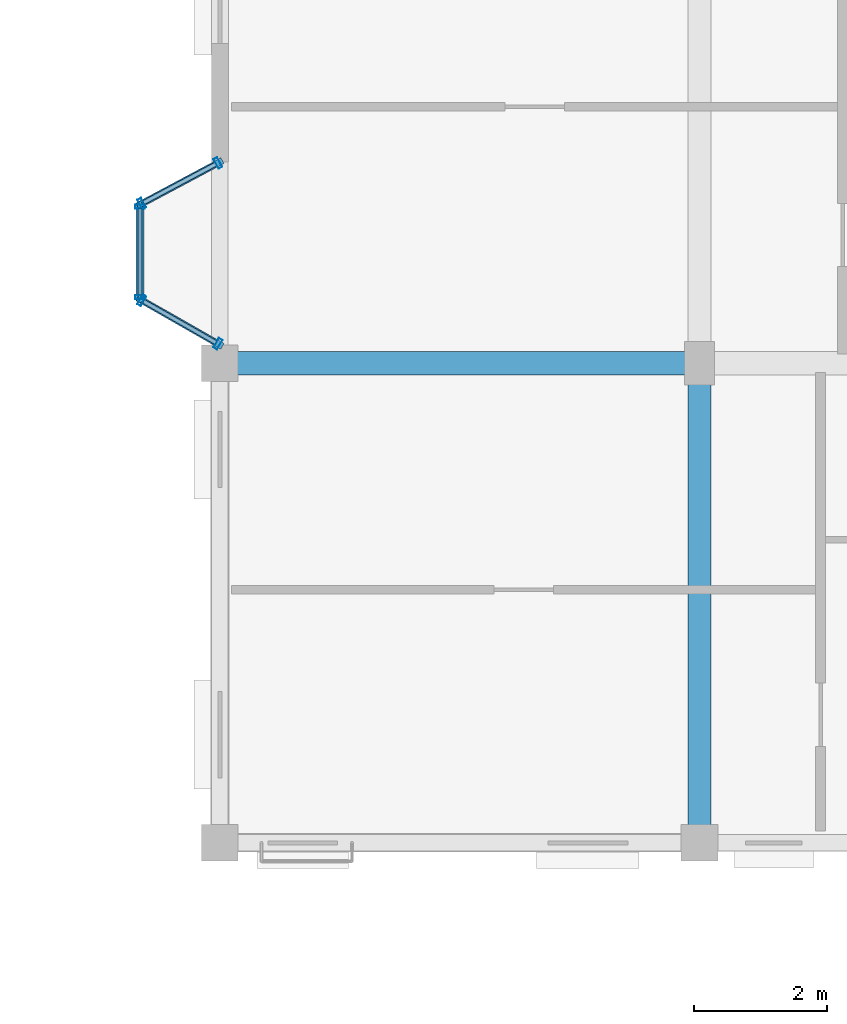
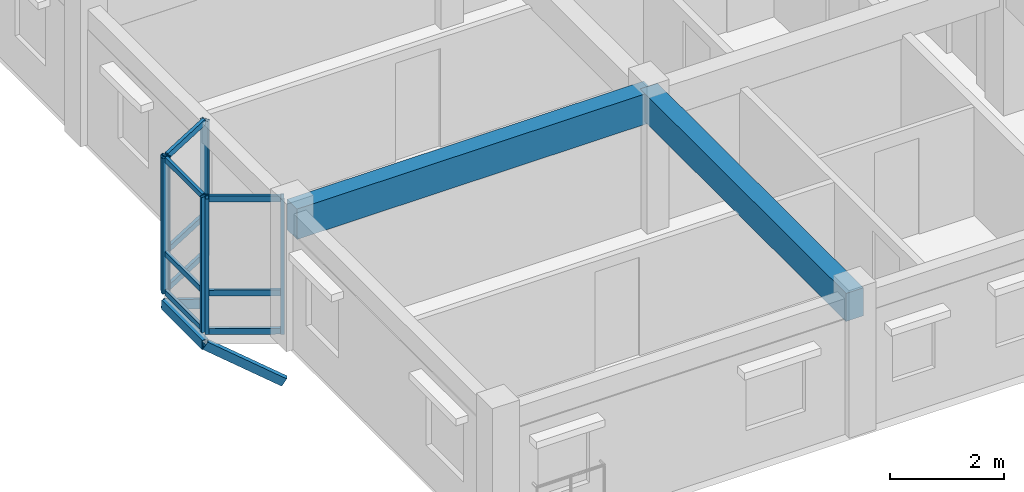
# One storey, part 21 of 79: 18 members, 2 beams, 3 elements without a shape of their own.
"""IFC4 building model written with IfcOpenShell, lengths in metres."""

import ifcopenshell
import ifcopenshell.guid

model = None  # the IFC model being written
_history = None  # IfcOwnerHistory: only IFC2X3 demands one
_inside = {}  # id of a spatial element -> (the spatial element, [elements in it])
_under = {}  # id of a project, library or spatial element -> (it, [spatial elements below it])
_declared = {}  # id of a project -> (the project, [libraries it declares])
_typed = {}  # id of a type object -> (the type object, [elements of that type])
_made_of = {}  # id of a material, layer set ... -> (it, [elements and type objects made of it])


def new_model(schema):
    """Start an empty IFC model of exactly this schema.

    Asked for "IFC4X3", IfcOpenShell would pick the latest addendum, in which some entities
    have other attributes; the version numbers below select the first issue.
    IFC2X3 requires an IfcOwnerHistory on every rooted entity: one is made here for all.
    """
    global model, _history
    if schema == "IFC4X3":
        model = ifcopenshell.file(schema_version=(4, 3, 0, 0))
    else:
        model = ifcopenshell.file(schema=schema)
    _inside.clear()
    _under.clear()
    _declared.clear()
    _typed.clear()
    _made_of.clear()
    _history = None
    if model.schema == "IFC2X3":
        org = make("IfcOrganization", Name="unknown")
        user = make(
            "IfcPersonAndOrganization",
            ThePerson=make("IfcPerson", FamilyName="unknown"),
            TheOrganization=org,
        )
        app = make(
            "IfcApplication",
            ApplicationDeveloper=org,
            Version="unknown",
            ApplicationFullName="unknown",
            ApplicationIdentifier="unknown",
        )
        _history = make(
            "IfcOwnerHistory",
            OwningUser=user,
            OwningApplication=app,
            ChangeAction="ADDED",
            CreationDate=0,
        )
    return model


def make(cls, **values):
    """One entity of the class cls with the attributes given. An attribute that is None is left unset."""
    return model.create_entity(
        cls, **{name: value for name, value in values.items() if value is not None}
    )


def rooted(cls, **values):
    """An entity with a GlobalId (a new one), such as an element, a storey or a relation."""
    return make(cls, GlobalId=ifcopenshell.guid.new(), OwnerHistory=_history, **values)


def si_unit(unit_type, name, prefix=None):
    """IfcSIUnit, for example si_unit("LENGTHUNIT", "METRE", prefix="MILLI")."""
    return make("IfcSIUnit", UnitType=unit_type, Prefix=prefix, Name=name)


def assignment(units):
    """IfcUnitAssignment: the units of a project."""
    return None if units is None else make("IfcUnitAssignment", Units=units)


def point(xyz):
    """IfcCartesianPoint."""
    return None if xyz is None else make("IfcCartesianPoint", Coordinates=xyz)


def direction(xyz):
    """IfcDirection."""
    return None if xyz is None else make("IfcDirection", DirectionRatios=xyz)


def frame(location, z_axis=None, x_axis=None):
    """IfcAxis2Placement3D, a coordinate frame: its origin and axes. An axis left out is left unset."""
    return make(
        "IfcAxis2Placement3D",
        Location=point(location),
        Axis=direction(z_axis),
        RefDirection=direction(x_axis),
    )


def frame_2d(location, x_axis=None):
    """IfcAxis2Placement2D, a coordinate frame in the plane: its origin and x axis."""
    return make(
        "IfcAxis2Placement2D", Location=point(location), RefDirection=direction(x_axis)
    )


def origin():
    """The frame at (0, 0, 0) with its axes left unset."""
    return frame((0.0, 0.0, 0.0))


def origin_2d():
    """The frame at (0, 0) in the plane with its x axis left unset."""
    return frame_2d((0.0, 0.0))


def place(relative_to, where):
    """IfcLocalPlacement: puts the frame where relative to a parent placement (None: the world)."""
    return make(
        "IfcLocalPlacement", PlacementRelTo=relative_to, RelativePlacement=where
    )


def context(
    kind, dimensions, precision=None, world=None, true_north=None, identifier=None
):
    """IfcGeometricRepresentationContext, for example the 3D "Model" context."""
    return make(
        "IfcGeometricRepresentationContext",
        ContextIdentifier=identifier,
        ContextType=kind,
        CoordinateSpaceDimension=dimensions,
        Precision=precision,
        WorldCoordinateSystem=world,
        TrueNorth=true_north,
    )


def subcontext(parent, identifier, kind, view, scale=None):
    """IfcGeometricRepresentationSubContext, for example "Body" below "Model"."""
    return make(
        "IfcGeometricRepresentationSubContext",
        ContextIdentifier=identifier,
        ContextType=kind,
        ParentContext=parent,
        TargetScale=scale,
        TargetView=view,
    )


def project(units=None, contexts=None):
    """IfcProject with its units and contexts."""
    return rooted(
        "IfcProject",
        Name="project",
        RepresentationContexts=contexts,
        UnitsInContext=assignment(units),
    )


def spatial(cls, under=None, at=None, **own):
    """A site, building, storey or space (cls), placed at a placement, below another one or the project."""
    s = rooted(cls, ObjectPlacement=at, **own)
    if under is not None:
        _under.setdefault(under.id(), (under, []))[1].append(s)
    return s


def profile(cls, at=None, kind="AREA", **sizes):
    """A parametric profile (cls). Its sizes go by their IFC names, for example OverallWidth=200.0."""
    return make(cls, ProfileType=kind, Position=at, **sizes)


def rectangle(**sizes):
    """IfcRectangleProfileDef."""
    return profile("IfcRectangleProfileDef", **sizes)


def hollow_rectangle(**sizes):
    """IfcRectangleHollowProfileDef."""
    return profile("IfcRectangleHollowProfileDef", **sizes)


def extrude(swept, where, along, depth):
    """IfcExtrudedAreaSolid: the profile swept, set in the frame where, extruded along a direction by depth."""
    return make(
        "IfcExtrudedAreaSolid",
        SweptArea=swept,
        Position=where,
        ExtrudedDirection=direction(along),
        Depth=depth,
    )


def shape(context_of_items, identifier, shape_type, items):
    """IfcShapeRepresentation: the items that make up one representation, for example the "Body"."""
    return make(
        "IfcShapeRepresentation",
        ContextOfItems=context_of_items,
        RepresentationIdentifier=identifier,
        RepresentationType=shape_type,
        Items=items,
    )


def material(Name=None, Category=None):
    """IfcMaterial."""
    return make("IfcMaterial", Name=Name, Category=Category)


def layer(
    of_material, thickness, ventilated=None, Name=None, Category=None, Priority=None
):
    """IfcMaterialLayer: one layer of a wall or slab, of a material (None: an air gap)."""
    return make(
        "IfcMaterialLayer",
        Material=of_material,
        LayerThickness=thickness,
        IsVentilated=ventilated,
        Name=Name,
        Category=Category,
        Priority=Priority,
    )


def layer_set(layers, Name=None):
    """IfcMaterialLayerSet."""
    return make("IfcMaterialLayerSet", MaterialLayers=layers, LayerSetName=Name)


def material_profile(
    of_material, cross_section, Name=None, Category=None, Priority=None
):
    """IfcMaterialProfile: a cross section and its material."""
    return make(
        "IfcMaterialProfile",
        Name=Name,
        Material=of_material,
        Profile=cross_section,
        Priority=Priority,
        Category=Category,
    )


def profile_set(profiles, Name=None, composite=None):
    """IfcMaterialProfileSet."""
    return make(
        "IfcMaterialProfileSet",
        Name=Name,
        MaterialProfiles=profiles,
        CompositeProfile=composite,
    )


def made_of(thing, what):
    """Note that an element or type object is made of a material, layer set ...; save() writes the relation."""
    if what is not None:
        _made_of.setdefault(what.id(), (what, []))[1].append(thing)
    return thing


def type_object(cls, material=None, **own):
    """A type object (cls), such as IfcWallType, which elements share."""
    return made_of(rooted(cls, **own), material)


def element(
    cls,
    number,
    at=None,
    inside=None,
    cuts=None,
    type_object=None,
    material=None,
    context=None,
    identifier="Body",
    shape_type=None,
    held_by="IfcProductDefinitionShape",
    body=None,
    shapes=None,
    **own,
):
    """One element of the class cls, such as IfcWall. Its Tag is "e" and its number.

    at: its placement. inside: the storey or other place that contains it. cuts: it is an
    opening in that element (IfcRelVoidsElement). A single representation is given by context,
    identifier, shape_type and body (its items); several are given by shapes. held_by: the class
    of the entity that holds the representations. save() writes the other relations.
    """
    e = rooted(cls, Tag="e%d" % number, ObjectPlacement=at, **own)
    if body is not None:
        shapes = [shape(context, identifier, shape_type, body)]
    if shapes is not None:
        e.Representation = make(held_by, Representations=shapes)
    if inside is not None:
        _inside.setdefault(inside.id(), (inside, []))[1].append(e)
    if cuts is not None:
        rooted(
            "IfcRelVoidsElement", RelatingBuildingElement=cuts, RelatedOpeningElement=e
        )
    if type_object is not None:
        _typed.setdefault(type_object.id(), (type_object, []))[1].append(e)
    return made_of(e, material)


def aggregate(whole, parts):
    """IfcRelAggregates: a whole, such as a stair, and the parts it consists of."""
    return rooted("IfcRelAggregates", RelatingObject=whole, RelatedObjects=parts)


def save(model, path):
    """Write the relations noted so far, then the file.

    IfcRelAggregates (storeys below a building ...), IfcRelContainedInSpatialStructure (elements
    in a storey), IfcRelDefinesByType, IfcRelAssociatesMaterial and IfcRelDeclares: one each for
    every whole, place, type object, material and project.
    """
    for whole, parts in _under.values():
        aggregate(whole, parts)
    for where, things in _inside.values():
        rooted(
            "IfcRelContainedInSpatialStructure",
            RelatedElements=things,
            RelatingStructure=where,
        )
    for kind, things in _typed.values():
        rooted("IfcRelDefinesByType", RelatedObjects=things, RelatingType=kind)
    for what, things in _made_of.values():
        rooted("IfcRelAssociatesMaterial", RelatedObjects=things, RelatingMaterial=what)
    for by, libraries in _declared.values():
        rooted("IfcRelDeclares", RelatingContext=by, RelatedDefinitions=libraries)
    model.write(path)


model = new_model("IFC4")

# Units and contexts
model_context = context("Model", 3, precision=1e-05, world=origin(), true_north=direction((0.0, 1.0)))
body_context = subcontext(model_context, "Body", "Model", "MODEL_VIEW")
ifc_project = project(units=[si_unit("LENGTHUNIT", "METRE"), si_unit("AREAUNIT", "SQUARE_METRE"), si_unit("VOLUMEUNIT", "CUBIC_METRE"), si_unit("PLANEANGLEUNIT", "RADIAN"), si_unit("MASSUNIT", "GRAM", prefix="KILO"), si_unit("THERMODYNAMICTEMPERATUREUNIT", "KELVIN"), si_unit("POWERUNIT", "WATT")], contexts=[model_context])

# Site, building, storey
site_placement = place(None, origin())
site = spatial("IfcSite", under=ifc_project, at=site_placement, CompositionType="ELEMENT")
building_placement = place(site_placement, origin())
building = spatial("IfcBuilding", under=site, at=building_placement, Name="Tavuni Mirador Residences", CompositionType="ELEMENT")
storey_placement = place(building_placement, frame((0.0, 0.0, 13.949951171875)))
storey = spatial("IfcBuildingStorey", under=building, at=storey_placement, Name="L04", CompositionType="ELEMENT", Elevation=13.949951171875)

# Beams
ifc_material_1 = material(Name="Precast concrete C40/50", Category="concrete")
ifc_material_profile_1 = material_profile(ifc_material_1, rectangle(XDim=0.35009765625, YDim=0.60009765625, at=origin_2d()), Name="PC 350x600", Category="concrete")
ifc_profile_set_1 = profile_set([ifc_material_profile_1], Name="Precast concrete C40/50")
beam_type_1 = type_object("IfcBeamType", Name="BT-B600", PredefinedType="BEAM", material=ifc_profile_set_1)
beam_1_placement = place(storey_placement, frame((97.199951171875, 86.39990234375, 2.590087890625), z_axis=(0.0, 1.0, 0.0), x_axis=(-1.0, 0.0, 0.0)))
element("IfcBeam", 1, at=beam_1_placement, inside=storey, type_object=beam_type_1, Name="BMY-BLK-D-L04-01-00", PredefinedType="BEAM", context=body_context, shape_type="SweptSolid", body=[
    extrude(rectangle(XDim=0.35009765625, YDim=0.60009765625, at=origin_2d()), origin(), (0.0, 0.0, 1.0), 7.2001953125),
])
ifc_material_profile_2 = material_profile(ifc_material_1, rectangle(XDim=0.35009765625, YDim=0.64990234375, at=origin_2d()), Name="PC 350x650", Category="concrete")
ifc_profile_set_2 = profile_set([ifc_material_profile_2], Name="Precast concrete C40/50")
beam_type_2 = type_object("IfcBeamType", Name="BT-B650", PredefinedType="BEAM", material=ifc_profile_set_2)
beam_2_placement = place(storey_placement, frame((90.0, 93.60009765625, 2.56494140625), z_axis=(1.0, 0.0, 0.0), x_axis=(0.0, 1.0, 0.0)))
element("IfcBeam", 2, at=beam_2_placement, inside=storey, type_object=beam_type_2, Name="BMX-BLK-D-L04-00-01", PredefinedType="BEAM", context=body_context, shape_type="SweptSolid", body=[
    extrude(rectangle(XDim=0.35009765625, YDim=0.64990234375, at=origin_2d()), origin(), (0.0, 0.0, 1.0), 7.199951171875),
])

# Curtain wall, members
ifc_material_2 = material(Name="Anodised aluminium", Category="aluminium")
ifc_layer_1 = layer(ifc_material_2, 0.1650390625, Name="Anodised aluminium", Category="aluminium")
ifc_layer_set_1 = layer_set([ifc_layer_1], Name="Anodised aluminium")
curtain_wall_type_1 = type_object("IfcCurtainWallType", Name="CWT-MIR-A", PredefinedType="NOTDEFINED", material=ifc_layer_set_1)
curtain_wall_1_placement = place(storey_placement, origin())
curtain_wall_1 = element("IfcCurtainWall", 3, at=curtain_wall_1_placement, inside=storey, type_object=curtain_wall_type_1, Name="CW-MIR-D-W1-L04-MF", PredefinedType="NOTDEFINED")
ifc_material_profile_3 = material_profile(ifc_material_2, hollow_rectangle(XDim=0.06005859375, YDim=0.139892578125, WallThickness=0.00390625, at=origin_2d()), Name="ALU 60x140x4.0", Category="aluminium")
ifc_profile_set_3 = profile_set([ifc_material_profile_3], Name="Anodised aluminium")
member_type_1 = type_object("IfcMemberType", Name="CWM-140", PredefinedType="MULLION", material=ifc_profile_set_3)
member_1_placement = place(storey_placement, frame((88.800048828125, 95.949951171875, 0.0), z_axis=(0.0, 0.0, 1.0), x_axis=(0.0, -1.0, 0.0)))
member_1 = element("IfcMember", 4, at=member_1_placement, type_object=member_type_1, Name="CW-01 mullion 1", PredefinedType="MULLION", context=body_context, shape_type="SweptSolid", body=[
    extrude(hollow_rectangle(XDim=0.06005859375, YDim=0.139892578125, WallThickness=0.00390625, at=origin_2d()), origin(), (0.0, 0.0, 1.0), 2.89013671875),
])
member_2_placement = place(storey_placement, frame((88.800048828125, 94.590087890625, 0.0), z_axis=(0.0, 0.0, 1.0), x_axis=(0.0, -1.0, 0.0)))
member_2 = element("IfcMember", 5, at=member_2_placement, type_object=member_type_1, Name="CW-01 mullion 2", PredefinedType="MULLION", context=body_context, shape_type="SweptSolid", body=[
    extrude(hollow_rectangle(XDim=0.06005859375, YDim=0.139892578125, WallThickness=0.00390625, at=origin_2d()), origin(), (0.0, 0.0, 1.0), 2.89013671875),
])

ifc_layer_2 = layer(ifc_material_2, 0.159912109375, Name="Anodised aluminium", Category="aluminium")
ifc_layer_set_2 = layer_set([ifc_layer_2], Name="Anodised aluminium")
curtain_wall_type_2 = type_object("IfcCurtainWallType", Name="CWT-MIR-D", PredefinedType="NOTDEFINED", material=ifc_layer_set_2)
curtain_wall_2_placement = place(storey_placement, origin())
curtain_wall_2 = element("IfcCurtainWall", 6, at=curtain_wall_2_placement, inside=storey, type_object=curtain_wall_type_2, Name="CW-MIR-D-W1-L04-M1", PredefinedType="NOTDEFINED")
ifc_material_profile_4 = material_profile(ifc_material_2, hollow_rectangle(XDim=0.06494140625, YDim=0.1650390625, WallThickness=0.00439453125, at=origin_2d()), Name="ALU 65x165x4.5", Category="aluminium")
ifc_profile_set_4 = profile_set([ifc_material_profile_4], Name="Anodised aluminium")
member_type_2 = type_object("IfcMemberType", Name="CWM-165", PredefinedType="MULLION", material=ifc_profile_set_4)
member_3_placement = place(storey_placement, frame((89.971435546875, 96.604736328125, 0.0), z_axis=(0.0, 0.0, 1.0), x_axis=(-0.882352941175, -0.470588235296, 0.0)))
member_3 = element("IfcMember", 7, at=member_3_placement, type_object=member_type_2, Name="CW-04 mullion 1", PredefinedType="MULLION", context=body_context, shape_type="SweptSolid", body=[
    extrude(hollow_rectangle(XDim=0.06494140625, YDim=0.1650390625, WallThickness=0.00439453125, at=origin_2d()), origin(), (0.0, 0.0, 1.0), 2.89013671875),
])
member_4_placement = place(storey_placement, frame((88.82861328125, 95.995361328125, 0.0), z_axis=(0.0, 0.0, 1.0), x_axis=(-0.882352941175, -0.470588235296, 0.0)))
member_4 = element("IfcMember", 8, at=member_4_placement, type_object=member_type_2, Name="CW-04 mullion 2", PredefinedType="MULLION", context=body_context, shape_type="SweptSolid", body=[
    extrude(hollow_rectangle(XDim=0.06494140625, YDim=0.1650390625, WallThickness=0.00439453125, at=origin_2d()), origin(), (0.0, 0.0, 1.0), 2.89013671875),
])

ifc_layer_3 = layer(ifc_material_2, 0.14990234375, Name="Anodised aluminium", Category="aluminium")
ifc_layer_set_3 = layer_set([ifc_layer_3], Name="Anodised aluminium")
curtain_wall_type_3 = type_object("IfcCurtainWallType", Name="CWT-MIR-B", PredefinedType="NOTDEFINED", material=ifc_layer_set_3)
curtain_wall_3_placement = place(storey_placement, origin())
curtain_wall_3 = element("IfcCurtainWall", 9, at=curtain_wall_3_placement, inside=storey, type_object=curtain_wall_type_3, Name="CW-MIR-D-W1-L04-M2", PredefinedType="NOTDEFINED")
member_5_placement = place(storey_placement, frame((88.828125, 94.5439453125, 0.0), z_axis=(0.0, 0.0, 1.0), x_axis=(0.868465738194, -0.495749192217, 0.0)))
member_5 = element("IfcMember", 10, at=member_5_placement, type_object=member_type_2, Name="CW-02 mullion 1", PredefinedType="MULLION", context=body_context, shape_type="SweptSolid", body=[
    extrude(hollow_rectangle(XDim=0.06494140625, YDim=0.1650390625, WallThickness=0.00439453125, at=origin_2d()), origin(), (0.0, 0.0, 1.0), 2.89013671875),
])
member_6_placement = place(storey_placement, frame((89.9716796875, 93.89111328125, 0.0), z_axis=(0.0, 0.0, 1.0), x_axis=(0.868465738194, -0.495749192217, 0.0)))
member_6 = element("IfcMember", 11, at=member_6_placement, type_object=member_type_2, Name="CW-02 mullion 2", PredefinedType="MULLION", context=body_context, shape_type="SweptSolid", body=[
    extrude(hollow_rectangle(XDim=0.06494140625, YDim=0.1650390625, WallThickness=0.00439453125, at=origin_2d()), origin(), (0.0, 0.0, 1.0), 2.89013671875),
])

# Member
ifc_material_profile_5 = material_profile(ifc_material_2, hollow_rectangle(XDim=0.06005859375, YDim=0.110107421875, WallThickness=0.00390625, at=origin_2d()), Name="ALU 60x110x4.0", Category="aluminium")
ifc_profile_set_5 = profile_set([ifc_material_profile_5], Name="Anodised aluminium")
member_type_3 = type_object("IfcMemberType", Name="CWT-110", PredefinedType="USERDEFINED", material=ifc_profile_set_5)
member_7_placement = place(storey_placement, frame((88.800048828125, 95.919921875, 0.030029296875), z_axis=(0.0, -1.0, 0.0), x_axis=(1.0, 0.0, 0.0)))
member_7 = element("IfcMember", 12, at=member_7_placement, type_object=member_type_3, Name="CW-01 transom 1.1", ObjectType="TRANSOM", PredefinedType="USERDEFINED", context=body_context, shape_type="SweptSolid", body=[
    extrude(hollow_rectangle(XDim=0.06005859375, YDim=0.110107421875, WallThickness=0.00390625, at=origin_2d()), origin(), (0.0, 0.0, 1.0), 1.2998046875),
])

member_8_placement = place(storey_placement, frame((88.800048828125, 95.919921875, 0.85009765625), z_axis=(0.0, -1.0, 0.0), x_axis=(1.0, 0.0, 0.0)))
member_8 = element("IfcMember", 13, at=member_8_placement, type_object=member_type_3, Name="CW-01 transom 1.2", ObjectType="TRANSOM", PredefinedType="USERDEFINED", context=body_context, shape_type="SweptSolid", body=[
    extrude(hollow_rectangle(XDim=0.06005859375, YDim=0.110107421875, WallThickness=0.00390625, at=origin_2d()), origin(), (0.0, 0.0, 1.0), 1.2998046875),
])

member_9_placement = place(storey_placement, frame((88.800048828125, 95.919921875, 2.860107421875), z_axis=(0.0, -1.0, 0.0), x_axis=(1.0, 0.0, 0.0)))
member_9 = element("IfcMember", 14, at=member_9_placement, type_object=member_type_3, Name="CW-01 transom 1.3", ObjectType="TRANSOM", PredefinedType="USERDEFINED", context=body_context, shape_type="SweptSolid", body=[
    extrude(hollow_rectangle(XDim=0.06005859375, YDim=0.110107421875, WallThickness=0.00390625, at=origin_2d()), origin(), (0.0, 0.0, 1.0), 1.2998046875),
])

aggregate(curtain_wall_1, [member_1, member_2, member_7, member_8, member_9])

ifc_material_profile_6 = material_profile(ifc_material_2, hollow_rectangle(XDim=0.06494140625, YDim=0.125, WallThickness=0.00439453125, at=origin_2d()), Name="ALU 65x125x4.5", Category="aluminium")
ifc_profile_set_6 = profile_set([ifc_material_profile_6], Name="Anodised aluminium")
member_type_4 = type_object("IfcMemberType", Name="CWT-125", PredefinedType="USERDEFINED", material=ifc_profile_set_6)
member_10_placement = place(storey_placement, frame((89.942626953125, 96.58935546875, 0.032470703125), z_axis=(-0.882325465843, -0.470639747922, 0.0), x_axis=(0.470639747922, -0.882325465843, 0.0)))
member_10 = element("IfcMember", 15, at=member_10_placement, type_object=member_type_4, Name="CW-04 transom 1.1", ObjectType="TRANSOM", PredefinedType="USERDEFINED", context=body_context, shape_type="SweptSolid", body=[
    extrude(hollow_rectangle(XDim=0.06494140625, YDim=0.125, WallThickness=0.00439453125, at=origin_2d()), origin(), (0.0, 0.0, 1.0), 1.22998046875),
])

member_11_placement = place(storey_placement, frame((89.942626953125, 96.58935546875, 0.85009765625), z_axis=(-0.882325465843, -0.470639747922, 0.0), x_axis=(0.470639747922, -0.882325465843, 0.0)))
member_11 = element("IfcMember", 16, at=member_11_placement, type_object=member_type_4, Name="CW-04 transom 1.2", ObjectType="TRANSOM", PredefinedType="USERDEFINED", context=body_context, shape_type="SweptSolid", body=[
    extrude(hollow_rectangle(XDim=0.06494140625, YDim=0.125, WallThickness=0.00439453125, at=origin_2d()), origin(), (0.0, 0.0, 1.0), 1.22998046875),
])

member_12_placement = place(storey_placement, frame((89.942626953125, 96.58935546875, 2.857666015625), z_axis=(-0.882325465843, -0.470639747922, 0.0), x_axis=(0.470639747922, -0.882325465843, 0.0)))
member_12 = element("IfcMember", 17, at=member_12_placement, type_object=member_type_4, Name="CW-04 transom 1.3", ObjectType="TRANSOM", PredefinedType="USERDEFINED", context=body_context, shape_type="SweptSolid", body=[
    extrude(hollow_rectangle(XDim=0.06494140625, YDim=0.125, WallThickness=0.00439453125, at=origin_2d()), origin(), (0.0, 0.0, 1.0), 1.22998046875),
])

aggregate(curtain_wall_2, [member_3, member_4, member_10, member_11, member_12])

member_13_placement = place(storey_placement, frame((88.8564453125, 94.52783203125, 0.032470703125), z_axis=(0.868459090685, -0.495760837306, 0.0), x_axis=(0.495760837306, 0.868459090685, 0.0)))
member_13 = element("IfcMember", 18, at=member_13_placement, type_object=member_type_4, Name="CW-02 transom 1.1", ObjectType="TRANSOM", PredefinedType="USERDEFINED", context=body_context, shape_type="SweptSolid", body=[
    extrude(hollow_rectangle(XDim=0.06494140625, YDim=0.125, WallThickness=0.00439453125, at=origin_2d()), origin(), (0.0, 0.0, 1.0), 1.251708984375),
])

member_14_placement = place(storey_placement, frame((88.8564453125, 94.52783203125, 0.85009765625), z_axis=(0.868459090685, -0.495760837306, 0.0), x_axis=(0.495760837306, 0.868459090685, 0.0)))
member_14 = element("IfcMember", 19, at=member_14_placement, type_object=member_type_4, Name="CW-02 transom 1.2", ObjectType="TRANSOM", PredefinedType="USERDEFINED", context=body_context, shape_type="SweptSolid", body=[
    extrude(hollow_rectangle(XDim=0.06494140625, YDim=0.125, WallThickness=0.00439453125, at=origin_2d()), origin(), (0.0, 0.0, 1.0), 1.251708984375),
])

member_15_placement = place(storey_placement, frame((88.8564453125, 94.52783203125, 2.857666015625), z_axis=(0.868459090685, -0.495760837306, 0.0), x_axis=(0.495760837306, 0.868459090685, 0.0)))
member_15 = element("IfcMember", 20, at=member_15_placement, type_object=member_type_4, Name="CW-02 transom 1.3", ObjectType="TRANSOM", PredefinedType="USERDEFINED", context=body_context, shape_type="SweptSolid", body=[
    extrude(hollow_rectangle(XDim=0.06494140625, YDim=0.125, WallThickness=0.00439453125, at=origin_2d()), origin(), (0.0, 0.0, 1.0), 1.251708984375),
])

aggregate(curtain_wall_3, [member_5, member_6, member_13, member_14, member_15])

# Members
ifc_material_3 = material(Name="Structural steel S355", Category="steel")
ifc_material_profile_7 = material_profile(ifc_material_3, hollow_rectangle(XDim=0.10009765625, YDim=0.179931640625, WallThickness=0.008056640625, at=origin_2d()), Name="RHS 180x100x8.0", Category="steel")
ifc_profile_set_7 = profile_set([ifc_material_profile_7], Name="Structural steel S355")
member_type_5 = type_object("IfcMemberType", Name="MT-BR-RHS180", PredefinedType="BRACE", material=ifc_profile_set_7)
member_16_placement = place(storey_placement, frame((90.0, 93.875, -1.050048828125), z_axis=(-0.753903905175, 0.430407804256, 0.496364809185), x_axis=(-0.495796390047, -0.868438794398, 0.0)))
element("IfcMember", 21, at=member_16_placement, inside=storey, type_object=member_type_5, Name="MBRK-MIR-D-W1-L04-1", PredefinedType="BRACE", context=body_context, shape_type="SweptSolid", body=[
    extrude(hollow_rectangle(XDim=0.10009765625, YDim=0.179931640625, WallThickness=0.008056640625, at=origin_2d()), origin(), (0.0, 0.0, 1.0), 1.591552734375),
])
member_17_placement = place(storey_placement, frame((90.0, 96.6201171875, -1.050048828125), z_axis=(-0.762920992699, -0.406994678099, 0.502301593565), x_axis=(0.470681405175, -0.882303244255, 0.0)))
element("IfcMember", 22, at=member_17_placement, inside=storey, type_object=member_type_5, Name="MBRK-MIR-D-W1-L04-2", PredefinedType="BRACE", context=body_context, shape_type="SweptSolid", body=[
    extrude(hollow_rectangle(XDim=0.10009765625, YDim=0.179931640625, WallThickness=0.008056640625, at=origin_2d()), origin(), (0.0, 0.0, 1.0), 1.57275390625),
])
ifc_material_profile_8 = material_profile(ifc_material_3, hollow_rectangle(XDim=0.1201171875, YDim=0.199951171875, WallThickness=0.010009765625, at=origin_2d()), Name="RHS 200x120x10.0", Category="steel")
ifc_profile_set_8 = profile_set([ifc_material_profile_8], Name="Structural steel S355")
member_type_6 = type_object("IfcMemberType", Name="MT-ST-RHS200", PredefinedType="STRUT", material=ifc_profile_set_8)
member_18_placement = place(storey_placement, frame((88.800048828125, 94.56005859375, -0.260009765625), z_axis=(0.0, 1.0, 0.0), x_axis=(-1.0, 0.0, 0.0)))
element("IfcMember", 23, at=member_18_placement, inside=storey, type_object=member_type_6, Name="MRIM-MIR-D-W1-L04", PredefinedType="STRUT", context=body_context, shape_type="SweptSolid", body=[
    extrude(hollow_rectangle(XDim=0.1201171875, YDim=0.199951171875, WallThickness=0.010009765625, at=origin_2d()), origin(), (0.0, 0.0, 1.0), 1.419921875),
])

save(model, "model.ifc")
